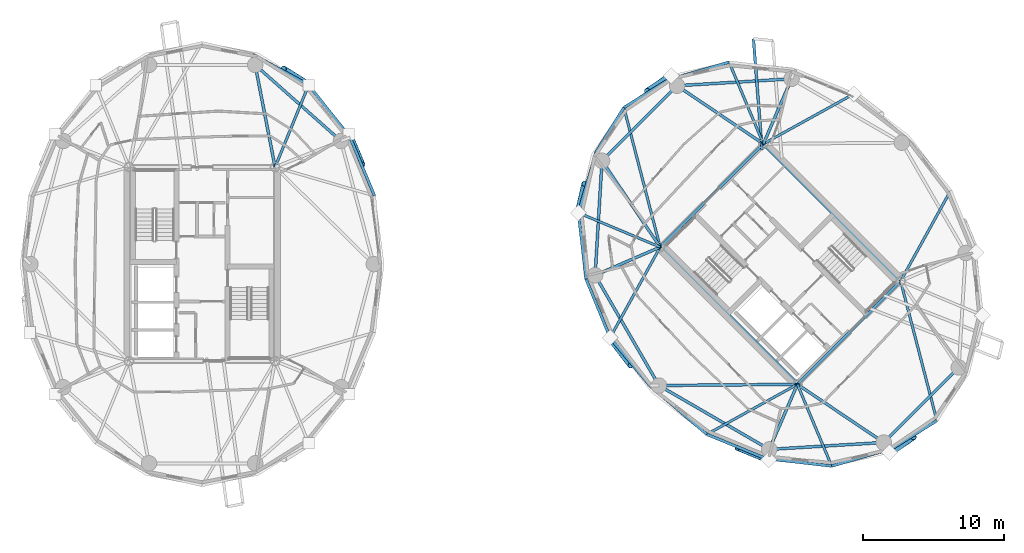
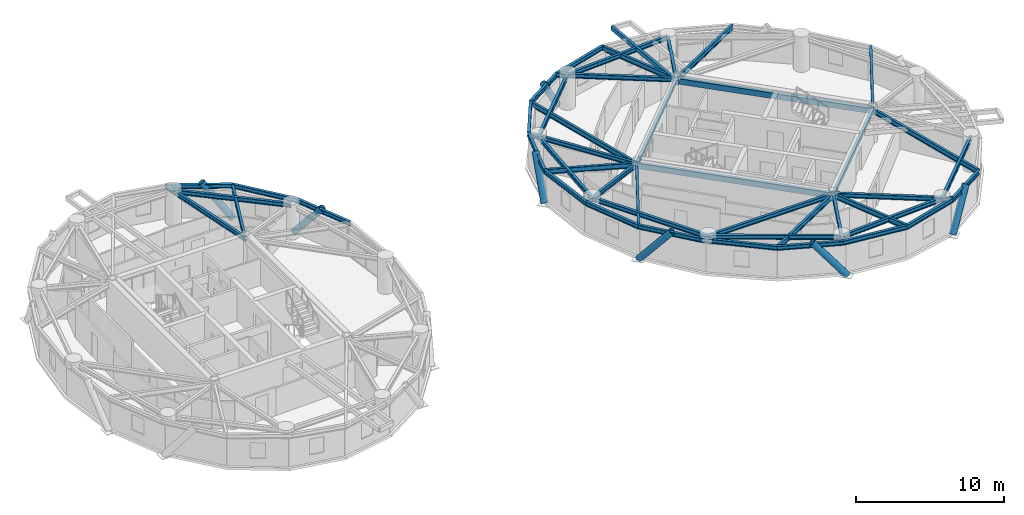
# One storey, part 4 of 16: 46 beams, 7 members.
"""IFC4 building model written with IfcOpenShell, lengths in metres."""

from ifc_helpers import new_model, si_unit, direction, frame, origin, origin_2d, place, context, subcontext, project, spatial, hollow_rectangle, hollow_circle, i_section, extrude, material, material_profile, profile_set, type_object, element, save


model = new_model("IFC4")

# Units and contexts
model_context = context("Model", 3, precision=1e-05, world=origin(), true_north=direction((0.0, 1.0)))
body_context = subcontext(model_context, "Body", "Model", "MODEL_VIEW")
ifc_project = project(units=[si_unit("LENGTHUNIT", "METRE"), si_unit("AREAUNIT", "SQUARE_METRE"), si_unit("VOLUMEUNIT", "CUBIC_METRE"), si_unit("PLANEANGLEUNIT", "RADIAN"), si_unit("MASSUNIT", "GRAM", prefix="KILO")], contexts=[model_context])

# Site, building, storey
site_placement = place(None, origin())
site = spatial("IfcSite", under=ifc_project, at=site_placement, CompositionType="ELEMENT")
building_placement = place(site_placement, origin())
building = spatial("IfcBuilding", under=site, at=building_placement, Name="Cununo Teusaquillo Station Towers", CompositionType="ELEMENT")
storey_placement = place(building_placement, frame((0.0, 0.0, 219.93994140625)))
storey = spatial("IfcBuildingStorey", under=building, at=storey_placement, Name="L70", CompositionType="ELEMENT", Elevation=219.93994140625)

# Beams
ifc_material_1 = material(Name="Steel EN 10025-2 S355J2", Category="steel")
ifc_material_profile_1 = material_profile(ifc_material_1, hollow_rectangle(XDim=0.199951171875, YDim=0.35009765625, WallThickness=0.013916015625, at=origin_2d()), Name="RHS 350x200x14")
ifc_profile_set_1 = profile_set([ifc_material_profile_1], Name="Steel EN 10025-2 S355J2")
beam_type_1 = type_object("IfcBeamType", Name="BM-BAL-CANT", PredefinedType="BEAM", material=ifc_profile_set_1)
beam_1_placement = place(storey_placement, frame((56.1982421875, 32.602783203125, 2.525146484375), z_axis=(-0.076982450804, 0.997032447952, 0.0), x_axis=(-0.997032447952, -0.076982450804, 0.0)))
element("IfcBeam", 1, at=beam_1_placement, inside=storey, type_object=beam_type_1, Name="L70 Tower B Balcony Cantilever Bracket 1B", PredefinedType="BEAM", context=body_context, shape_type="SweptSolid", body=[
    extrude(hollow_rectangle(XDim=0.199951171875, YDim=0.35009765625, WallThickness=0.013916015625, at=origin_2d()), origin(), (0.0, 0.0, 1.0), 7.89990234375),
])
ifc_material_2 = material(Name="Steel EN 10025-2 S355J2", Category="steel")
ifc_material_profile_2 = material_profile(ifc_material_2, hollow_rectangle(XDim=0.25, YDim=0.449951171875, WallThickness=0.01611328125, at=origin_2d()), Name="RHS 450x250x16")
ifc_profile_set_2 = profile_set([ifc_material_profile_2], Name="Steel EN 10025-2 S355J2")
beam_type_2 = type_object("IfcBeamType", Name="BM-COUP-1", PredefinedType="USERDEFINED", material=ifc_profile_set_2)
for number, where, z_axis, x_axis, name in (
    (2, (58.70556640625, 15.975830078125, 2.47509765625), (-0.707106781187, 0.707106781187, 0.0), (-0.707106781187, -0.707106781187, 0.0), "L70 Tower B Core Beam 1"),
    (3, (66.024169921875, 23.29443359375, 2.47509765625), (-0.707106781187, 0.707106781187, 0.0), (-0.707106781187, -0.707106781187, 0.0), "L70 Tower B Core Beam 2"),
):
    element("IfcBeam", number, at=place(storey_placement, frame(where, z_axis=z_axis, x_axis=x_axis)), inside=storey, type_object=beam_type_2, Name=name, ObjectType="COUPLING BEAM", PredefinedType="USERDEFINED", context=body_context, shape_type="SweptSolid", body=[
        extrude(hollow_rectangle(XDim=0.25, YDim=0.449951171875, WallThickness=0.01611328125, at=origin_2d()), origin(), (0.0, 0.0, 1.0), 13.760009765625),
    ])
ifc_material_3 = material(Name="Steel ASTM A572 Grade 50", Category="steel")
ifc_material_profile_3 = material_profile(ifc_material_3, i_section(OverallWidth=0.180908203125, OverallDepth=0.4169921875, WebThickness=0.010986328125, FlangeThickness=0.018310546875, FilletRadius=0.012939453125, at=origin_2d()), Name="W16X57")
ifc_profile_set_3 = profile_set([ifc_material_profile_3], Name="Steel ASTM A572 Grade 50")
beam_type_3 = type_object("IfcBeamType", Name="BM-JOIST-1", PredefinedType="JOIST", material=ifc_profile_set_3)
beam_2_placement = place(storey_placement, frame((21.675048828125, 31.3798828125, 2.491455078125), z_axis=(0.378576847217, 0.925569862707, 0.0), x_axis=(-0.925569862707, 0.378576847217, 0.0)))
element("IfcBeam", 4, at=beam_2_placement, inside=storey, type_object=beam_type_3, Name="L70 Tower A Radial Spandrel Joist V03", PredefinedType="JOIST", context=body_context, shape_type="SweptSolid", body=[
    extrude(i_section(OverallWidth=0.180908203125, OverallDepth=0.4169921875, WebThickness=0.010986328125, FlangeThickness=0.018310546875, FilletRadius=0.012939453125, at=origin_2d()), origin(), (0.0, 0.0, 1.0), 6.28125),
])
beam_3_placement = place(storey_placement, frame((56.29443359375, 33.024169921875, 2.491455078125), z_axis=(0.8753153358, 0.483552544108, 0.0), x_axis=(-0.483552544108, 0.8753153358, 0.0)))
element("IfcBeam", 5, at=beam_3_placement, inside=storey, type_object=beam_type_3, Name="L70 Tower B Radial Spandrel Joist V01", PredefinedType="JOIST", context=body_context, shape_type="SweptSolid", body=[
    extrude(i_section(OverallWidth=0.180908203125, OverallDepth=0.4169921875, WebThickness=0.010986328125, FlangeThickness=0.018310546875, FilletRadius=0.012939453125, at=origin_2d()), origin(), (0.0, 0.0, 1.0), 7.3330078125),
])
beam_4_placement = place(storey_placement, frame((56.29443359375, 33.024169921875, 2.491455078125), z_axis=(-0.386786389381, 0.922169338565, 0.0), x_axis=(-0.922169338565, -0.386786389381, 0.0)))
element("IfcBeam", 6, at=beam_4_placement, inside=storey, type_object=beam_type_3, Name="L70 Tower B Radial Spandrel Joist V03", PredefinedType="JOIST", context=body_context, shape_type="SweptSolid", body=[
    extrude(i_section(OverallWidth=0.180908203125, OverallDepth=0.4169921875, WebThickness=0.010986328125, FlangeThickness=0.018310546875, FilletRadius=0.012939453125, at=origin_2d()), origin(), (0.0, 0.0, 1.0), 6.281005859375),
])
beam_5_placement = place(storey_placement, frame((48.975830078125, 25.70556640625, 2.491455078125), z_axis=(-0.251559992432, 0.967841707206, 0.0), x_axis=(-0.967841707206, -0.251559992432, 0.0)))
element("IfcBeam", 7, at=beam_5_placement, inside=storey, type_object=beam_type_3, Name="L70 Tower B Radial Spandrel Joist V05", PredefinedType="JOIST", context=body_context, shape_type="SweptSolid", body=[
    extrude(i_section(OverallWidth=0.180908203125, OverallDepth=0.4169921875, WebThickness=0.010986328125, FlangeThickness=0.018310546875, FilletRadius=0.012939453125, at=origin_2d()), origin(), (0.0, 0.0, 1.0), 10.217529296875),
])
beam_6_placement = place(storey_placement, frame((48.975830078125, 25.70556640625, 2.491455078125), z_axis=(-0.922169338565, 0.386786389381, 0.0), x_axis=(-0.386786389381, -0.922169338565, 0.0)))
element("IfcBeam", 8, at=beam_6_placement, inside=storey, type_object=beam_type_3, Name="L70 Tower B Radial Spandrel Joist V07", PredefinedType="JOIST", context=body_context, shape_type="SweptSolid", body=[
    extrude(i_section(OverallWidth=0.180908203125, OverallDepth=0.4169921875, WebThickness=0.010986328125, FlangeThickness=0.018310546875, FilletRadius=0.012939453125, at=origin_2d()), origin(), (0.0, 0.0, 1.0), 6.281005859375),
])
for number, where, z_axis, x_axis, name in (
    (9, (48.975830078125, 25.70556640625, 2.491455078125), (-0.483552544108, -0.8753153358, 0.0), (0.8753153358, -0.483552544108, 0.0), "L70 Tower B Radial Spandrel Joist V09"),
    (10, (58.70556640625, 15.975830078125, 2.491455078125), (-0.8753153358, -0.483552544108, 0.0), (0.483552544108, -0.8753153358, 0.0), "L70 Tower B Radial Spandrel Joist V11"),
):
    element("IfcBeam", number, at=place(storey_placement, frame(where, z_axis=z_axis, x_axis=x_axis)), inside=storey, type_object=beam_type_3, Name=name, PredefinedType="JOIST", context=body_context, shape_type="SweptSolid", body=[
        extrude(i_section(OverallWidth=0.180908203125, OverallDepth=0.4169921875, WebThickness=0.010986328125, FlangeThickness=0.018310546875, FilletRadius=0.012939453125, at=origin_2d()), origin(), (0.0, 0.0, 1.0), 7.3330078125),
    ])
beam_7_placement = place(storey_placement, frame((58.70556640625, 15.975830078125, 2.491455078125), z_axis=(0.386786389381, -0.922169338565, 0.0), x_axis=(0.922169338565, 0.386786389381, 0.0)))
element("IfcBeam", 11, at=beam_7_placement, inside=storey, type_object=beam_type_3, Name="L70 Tower B Radial Spandrel Joist V13", PredefinedType="JOIST", context=body_context, shape_type="SweptSolid", body=[
    extrude(i_section(OverallWidth=0.180908203125, OverallDepth=0.4169921875, WebThickness=0.010986328125, FlangeThickness=0.018310546875, FilletRadius=0.012939453125, at=origin_2d()), origin(), (0.0, 0.0, 1.0), 6.281005859375),
])
beam_8_placement = place(storey_placement, frame((66.024169921875, 23.29443359375, 2.491455078125), z_axis=(0.251559992432, -0.967841707206, 0.0), x_axis=(0.967841707206, 0.251559992432, 0.0)))
element("IfcBeam", 12, at=beam_8_placement, inside=storey, type_object=beam_type_3, Name="L70 Tower B Radial Spandrel Joist V15", PredefinedType="JOIST", context=body_context, shape_type="SweptSolid", body=[
    extrude(i_section(OverallWidth=0.180908203125, OverallDepth=0.4169921875, WebThickness=0.010986328125, FlangeThickness=0.018310546875, FilletRadius=0.012939453125, at=origin_2d()), origin(), (0.0, 0.0, 1.0), 10.217529296875),
])
beam_9_placement = place(storey_placement, frame((66.024169921875, 23.29443359375, 2.491455078125), z_axis=(0.483552544108, 0.8753153358, 0.0), x_axis=(-0.8753153358, 0.483552544108, 0.0)))
element("IfcBeam", 13, at=beam_9_placement, inside=storey, type_object=beam_type_3, Name="L70 Tower B Radial Spandrel Joist V19", PredefinedType="JOIST", context=body_context, shape_type="SweptSolid", body=[
    extrude(i_section(OverallWidth=0.180908203125, OverallDepth=0.4169921875, WebThickness=0.010986328125, FlangeThickness=0.018310546875, FilletRadius=0.012939453125, at=origin_2d()), origin(), (0.0, 0.0, 1.0), 7.3330078125),
])
ifc_material_4 = material(Name="Steel ASTM A572 Grade 50", Category="steel")
ifc_material_profile_4 = material_profile(ifc_material_4, i_section(OverallWidth=0.2041015625, OverallDepth=0.35009765625, WebThickness=0.008544921875, FlangeThickness=0.01513671875, FilletRadius=0.011962890625, at=origin_2d()), Name="W14X48")
ifc_profile_set_4 = profile_set([ifc_material_profile_4], Name="Steel ASTM A572 Grade 50")
beam_type_4 = type_object("IfcBeamType", Name="BM-LINTEL-1", PredefinedType="LINTEL", material=ifc_profile_set_4)
for number, where, z_axis, x_axis, name in (
    (14, (58.70556640625, 15.975830078125, 2.525146484375), (0.707106781187, 0.707106781187, 0.0), (-0.707106781187, 0.707106781187, 0.0), "L70 Tower B Core Beam 3"),
    (15, (48.975830078125, 25.70556640625, 2.525146484375), (0.707106781187, 0.707106781187, 0.0), (-0.707106781187, 0.707106781187, 0.0), "L70 Tower B Core Beam 4"),
):
    element("IfcBeam", number, at=place(storey_placement, frame(where, z_axis=z_axis, x_axis=x_axis)), inside=storey, type_object=beam_type_4, Name=name, PredefinedType="LINTEL", context=body_context, shape_type="SweptSolid", body=[
        extrude(i_section(OverallWidth=0.2041015625, OverallDepth=0.35009765625, WebThickness=0.008544921875, FlangeThickness=0.01513671875, FilletRadius=0.011962890625, at=origin_2d()), origin(), (0.0, 0.0, 1.0), 10.35009765625),
    ])
ifc_material_5 = material(Name="Steel ASTM A572 Grade 50", Category="steel")
ifc_material_profile_5 = material_profile(ifc_material_5, i_section(OverallWidth=0.2041015625, OverallDepth=0.35009765625, WebThickness=0.008544921875, FlangeThickness=0.01513671875, FilletRadius=0.011962890625, at=origin_2d()), Name="W14X48")
ifc_profile_set_5 = profile_set([ifc_material_profile_5], Name="Steel ASTM A572 Grade 50")
beam_type_5 = type_object("IfcBeamType", Name="BM-RAD-G3", PredefinedType="BEAM", material=ifc_profile_set_5)
beam_10_placement = place(storey_placement, frame((21.675048828125, 31.3798828125, 2.525146484375), z_axis=(-0.191548487699, 0.981483151593, 0.0), x_axis=(-0.981483151593, -0.191548487699, 0.0)))
element("IfcBeam", 16, at=beam_10_placement, inside=storey, type_object=beam_type_5, Name="L70 Tower A Continuous Overhanging Radial Girder 03", PredefinedType="BEAM", context=body_context, shape_type="SweptSolid", body=[
    extrude(i_section(OverallWidth=0.2041015625, OverallDepth=0.35009765625, WebThickness=0.008544921875, FlangeThickness=0.01513671875, FilletRadius=0.011962890625, at=origin_2d()), origin(), (0.0, 0.0, 1.0), 8.1240234375),
])
beam_11_placement = place(storey_placement, frame((56.29443359375, 33.024169921875, 2.525146484375), z_axis=(0.397346986387, 0.917668443616, 0.0), x_axis=(-0.917668443616, 0.397346986387, 0.0)))
element("IfcBeam", 17, at=beam_11_placement, inside=storey, type_object=beam_type_5, Name="L70 Tower B Radial Girder 02A", PredefinedType="BEAM", context=body_context, shape_type="SweptSolid", body=[
    extrude(i_section(OverallWidth=0.2041015625, OverallDepth=0.35009765625, WebThickness=0.008544921875, FlangeThickness=0.01513671875, FilletRadius=0.011962890625, at=origin_2d()), origin(), (0.0, 0.0, 1.0), 5.02490234375),
])
for number, where, z_axis, x_axis, name in (
    (18, (56.29443359375, 33.024169921875, 2.525146484375), (-0.829456817529, 0.558570844079, 0.0), (-0.558570844079, -0.829456817529, 0.0), "L70 Tower B Continuous Overhanging Radial Girder 03"),
    (19, (48.975830078125, 25.70556640625, 2.525146484375), (-0.558570844079, 0.829456817529, 0.0), (-0.829456817529, -0.558570844079, 0.0), "L70 Tower B Continuous Overhanging Radial Girder 04"),
):
    element("IfcBeam", number, at=place(storey_placement, frame(where, z_axis=z_axis, x_axis=x_axis)), inside=storey, type_object=beam_type_5, Name=name, PredefinedType="BEAM", context=body_context, shape_type="SweptSolid", body=[
        extrude(i_section(OverallWidth=0.2041015625, OverallDepth=0.35009765625, WebThickness=0.008544921875, FlangeThickness=0.01513671875, FilletRadius=0.011962890625, at=origin_2d()), origin(), (0.0, 0.0, 1.0), 8.1240234375),
    ])
beam_12_placement = place(storey_placement, frame((48.975830078125, 25.70556640625, 2.525146484375), z_axis=(-0.917665176837, -0.397354530893, 0.0), x_axis=(0.397354530893, -0.917665176837, 0.0)))
element("IfcBeam", 20, at=beam_12_placement, inside=storey, type_object=beam_type_5, Name="L70 Tower B Continuous Overhanging Radial Girder 05", PredefinedType="BEAM", context=body_context, shape_type="SweptSolid", body=[
    extrude(i_section(OverallWidth=0.2041015625, OverallDepth=0.35009765625, WebThickness=0.008544921875, FlangeThickness=0.01513671875, FilletRadius=0.011962890625, at=origin_2d()), origin(), (0.0, 0.0, 1.0), 5.716552734375),
])
beam_13_placement = place(storey_placement, frame((58.70556640625, 15.975830078125, 2.525146484375), z_axis=(-0.999964431382, -0.008434214327, 0.0), x_axis=(0.008434214327, -0.999964431382, 0.0)))
element("IfcBeam", 21, at=beam_13_placement, inside=storey, type_object=beam_type_5, Name="L70 Tower B Radial Girder 06A", PredefinedType="BEAM", context=body_context, shape_type="SweptSolid", body=[
    extrude(i_section(OverallWidth=0.2041015625, OverallDepth=0.35009765625, WebThickness=0.008544921875, FlangeThickness=0.01513671875, FilletRadius=0.011962890625, at=origin_2d()), origin(), (0.0, 0.0, 1.0), 9.812744140625),
])
beam_14_placement = place(storey_placement, frame((58.70556640625, 15.975830078125, 2.525146484375), z_axis=(-0.397354530893, -0.917665176837, 0.0), x_axis=(0.917665176837, -0.397354530893, 0.0)))
element("IfcBeam", 22, at=beam_14_placement, inside=storey, type_object=beam_type_5, Name="L70 Tower B Continuous Overhanging Radial Girder 07", PredefinedType="BEAM", context=body_context, shape_type="SweptSolid", body=[
    extrude(i_section(OverallWidth=0.2041015625, OverallDepth=0.35009765625, WebThickness=0.008544921875, FlangeThickness=0.01513671875, FilletRadius=0.011962890625, at=origin_2d()), origin(), (0.0, 0.0, 1.0), 5.716552734375),
])
beam_15_placement = place(storey_placement, frame((58.70556640625, 15.975830078125, 2.525146484375), z_axis=(0.829456817529, -0.558570844079, 0.0), x_axis=(0.558570844079, 0.829456817529, 0.0)))
element("IfcBeam", 23, at=beam_15_placement, inside=storey, type_object=beam_type_5, Name="L70 Tower B Continuous Overhanging Radial Girder 08", PredefinedType="BEAM", context=body_context, shape_type="SweptSolid", body=[
    extrude(i_section(OverallWidth=0.2041015625, OverallDepth=0.35009765625, WebThickness=0.008544921875, FlangeThickness=0.01513671875, FilletRadius=0.011962890625, at=origin_2d()), origin(), (0.0, 0.0, 1.0), 8.1240234375),
])
ifc_material_6 = material(Name="Steel ASTM A572 Grade 50", Category="steel")
ifc_material_profile_6 = material_profile(ifc_material_6, i_section(OverallWidth=0.2041015625, OverallDepth=0.35009765625, WebThickness=0.008544921875, FlangeThickness=0.01513671875, FilletRadius=0.011962890625, at=origin_2d()), Name="W14X48")
ifc_profile_set_6 = profile_set([ifc_material_profile_6], Name="Steel ASTM A572 Grade 50")
beam_type_6 = type_object("IfcBeamType", Name="BM-RING-Z4", PredefinedType="SPANDREL", material=ifc_profile_set_6)
beam_16_placement = place(storey_placement, frame((26.347412109375, 33.228515625, 2.525146484375), z_axis=(-0.74832120039, 0.66333655187, 0.0), x_axis=(-0.66333655187, -0.74832120039, 0.0)))
element("IfcBeam", 24, at=beam_16_placement, inside=storey, type_object=beam_type_6, Name="L70 Tower A Structural Column Ring Girder 02", PredefinedType="SPANDREL", context=body_context, shape_type="SweptSolid", body=[
    extrude(i_section(OverallWidth=0.2041015625, OverallDepth=0.35009765625, WebThickness=0.008544921875, FlangeThickness=0.01513671875, FilletRadius=0.011962890625, at=origin_2d()), origin(), (0.0, 0.0, 1.0), 8.1328125),
])
beam_17_placement = place(storey_placement, frame((28.72119140625, 29.348388671875, 2.525146484375), z_axis=(-0.386115454066, 0.922450462698, 0.0), x_axis=(-0.922450462698, -0.386115454066, 0.0)))
element("IfcBeam", 25, at=beam_17_placement, inside=storey, type_object=beam_type_6, Name="L70 Tower A Spandrel Ring Beam 02", PredefinedType="SPANDREL", context=body_context, shape_type="SweptSolid", body=[
    extrude(i_section(OverallWidth=0.2041015625, OverallDepth=0.35009765625, WebThickness=0.008544921875, FlangeThickness=0.01513671875, FilletRadius=0.011962890625, at=origin_2d()), origin(), (0.0, 0.0, 1.0), 4.482421875),
])
beam_18_placement = place(storey_placement, frame((26.990478515625, 33.483154296875, 2.525146484375), z_axis=(-0.620710872531, 0.784039547932, 0.0), x_axis=(-0.784039547932, -0.620710872531, 0.0)))
element("IfcBeam", 26, at=beam_18_placement, inside=storey, type_object=beam_type_6, Name="L70 Tower A Spandrel Ring Beam 03", PredefinedType="SPANDREL", context=body_context, shape_type="SweptSolid", body=[
    extrude(i_section(OverallWidth=0.2041015625, OverallDepth=0.35009765625, WebThickness=0.008544921875, FlangeThickness=0.01513671875, FilletRadius=0.011962890625, at=origin_2d()), origin(), (0.0, 0.0, 1.0), 4.732421875),
])
beam_19_placement = place(storey_placement, frame((24.052978515625, 37.193603515625, 2.525146484375), z_axis=(-0.876576300909, 0.481262910149, 0.0), x_axis=(-0.481262910149, -0.876576300909, 0.0)))
element("IfcBeam", 27, at=beam_19_placement, inside=storey, type_object=beam_type_6, Name="L70 Tower A Spandrel Ring Beam 04", PredefinedType="SPANDREL", context=body_context, shape_type="SweptSolid", body=[
    extrude(i_section(OverallWidth=0.2041015625, OverallDepth=0.35009765625, WebThickness=0.008544921875, FlangeThickness=0.01513671875, FilletRadius=0.011962890625, at=origin_2d()), origin(), (0.0, 0.0, 1.0), 4.488037109375),
])
beam_20_placement = place(storey_placement, frame((58.291015625, 37.63525390625, 2.525146484375), z_axis=(-0.998190567048, -0.06012979176, 0.0), x_axis=(0.06012979176, -0.998190567048, 0.0)))
element("IfcBeam", 28, at=beam_20_placement, inside=storey, type_object=beam_type_6, Name="L70 Tower B Structural Column Ring Girder 02", PredefinedType="SPANDREL", context=body_context, shape_type="SweptSolid", body=[
    extrude(i_section(OverallWidth=0.2041015625, OverallDepth=0.35009765625, WebThickness=0.008544921875, FlangeThickness=0.01513671875, FilletRadius=0.011962890625, at=origin_2d()), origin(), (0.0, 0.0, 1.0), 8.132568359375),
])
beam_21_placement = place(storey_placement, frame((50.173095703125, 37.146240234375, 2.525146484375), z_axis=(-0.707106781187, -0.707106781187, 0.0), x_axis=(0.707106781187, -0.707106781187, 0.0)))
element("IfcBeam", 29, at=beam_21_placement, inside=storey, type_object=beam_type_6, Name="L70 Tower B Structural Column Ring Girder 03", PredefinedType="SPANDREL", context=body_context, shape_type="SweptSolid", body=[
    extrude(i_section(OverallWidth=0.2041015625, OverallDepth=0.35009765625, WebThickness=0.008544921875, FlangeThickness=0.01513671875, FilletRadius=0.011962890625, at=origin_2d()), origin(), (0.0, 0.0, 1.0), 7.522705078125),
])
beam_22_placement = place(storey_placement, frame((44.853759765625, 31.826904296875, 2.525146484375), z_axis=(-0.06012979176, -0.998190567048, 0.0), x_axis=(0.998190567048, -0.06012979176, 0.0)))
element("IfcBeam", 30, at=beam_22_placement, inside=storey, type_object=beam_type_6, Name="L70 Tower B Structural Column Ring Girder 04", PredefinedType="SPANDREL", context=body_context, shape_type="SweptSolid", body=[
    extrude(i_section(OverallWidth=0.2041015625, OverallDepth=0.35009765625, WebThickness=0.008544921875, FlangeThickness=0.01513671875, FilletRadius=0.011962890625, at=origin_2d()), origin(), (0.0, 0.0, 1.0), 8.132568359375),
])
for number, where, z_axis, x_axis, name in (
    (31, (44.36474609375, 23.708984375, 2.525146484375), (0.501311121078, -0.865267103202, 0.0), (0.865267103202, 0.501311121078, 0.0), "L70 Tower B Structural Column Ring Girder 05"),
    (32, (48.89306640625, 15.89306640625, 2.525146484375), (0.865267103202, -0.501311121078, 0.0), (0.501311121078, 0.865267103202, 0.0), "L70 Tower B Structural Column Ring Girder 06"),
):
    element("IfcBeam", number, at=place(storey_placement, frame(where, z_axis=z_axis, x_axis=x_axis)), inside=storey, type_object=beam_type_6, Name=name, PredefinedType="SPANDREL", context=body_context, shape_type="SweptSolid", body=[
        extrude(i_section(OverallWidth=0.2041015625, OverallDepth=0.35009765625, WebThickness=0.008544921875, FlangeThickness=0.01513671875, FilletRadius=0.011962890625, at=origin_2d()), origin(), (0.0, 0.0, 1.0), 9.032958984375),
    ])
beam_23_placement = place(storey_placement, frame((56.708984375, 11.36474609375, 2.525146484375), z_axis=(0.998190567048, 0.06012979176, 0.0), x_axis=(-0.06012979176, 0.998190567048, 0.0)))
element("IfcBeam", 33, at=beam_23_placement, inside=storey, type_object=beam_type_6, Name="L70 Tower B Structural Column Ring Girder 07", PredefinedType="SPANDREL", context=body_context, shape_type="SweptSolid", body=[
    extrude(i_section(OverallWidth=0.2041015625, OverallDepth=0.35009765625, WebThickness=0.008544921875, FlangeThickness=0.01513671875, FilletRadius=0.011962890625, at=origin_2d()), origin(), (0.0, 0.0, 1.0), 8.132568359375),
])
beam_24_placement = place(storey_placement, frame((64.826904296875, 11.853759765625, 2.525146484375), z_axis=(0.707106781187, 0.707106781187, 0.0), x_axis=(-0.707106781187, 0.707106781187, 0.0)))
element("IfcBeam", 34, at=beam_24_placement, inside=storey, type_object=beam_type_6, Name="L70 Tower B Structural Column Ring Girder 08", PredefinedType="SPANDREL", context=body_context, shape_type="SweptSolid", body=[
    extrude(i_section(OverallWidth=0.2041015625, OverallDepth=0.35009765625, WebThickness=0.008544921875, FlangeThickness=0.01513671875, FilletRadius=0.011962890625, at=origin_2d()), origin(), (0.0, 0.0, 1.0), 7.522705078125),
])
beam_25_placement = place(storey_placement, frame((53.864990234375, 38.81640625, 2.525146484375), z_axis=(-0.96014487762, -0.279502797802, 0.0), x_axis=(0.279502797802, -0.96014487762, 0.0)))
element("IfcBeam", 35, at=beam_25_placement, inside=storey, type_object=beam_type_6, Name="L70 Tower B Spandrel Ring Beam 04", PredefinedType="SPANDREL", context=body_context, shape_type="SweptSolid", body=[
    extrude(i_section(OverallWidth=0.2041015625, OverallDepth=0.35009765625, WebThickness=0.008544921875, FlangeThickness=0.01513671875, FilletRadius=0.011962890625, at=origin_2d()), origin(), (0.0, 0.0, 1.0), 4.488037109375),
])
for number, where, z_axis, x_axis, name in (
    (36, (49.555908203125, 37.56201171875, 2.525146484375), (-0.848175505099, -0.529715312739, 0.0), (0.529715312739, -0.848175505099, 0.0), "L70 Tower B Spandrel Ring Beam 05"),
    (37, (46.405517578125, 35.594482421875, 2.525146484375), (-0.529715312739, -0.848175505099, 0.0), (0.848175505099, -0.529715312739, 0.0), "L70 Tower B Spandrel Ring Beam 06"),
):
    element("IfcBeam", number, at=place(storey_placement, frame(where, z_axis=z_axis, x_axis=x_axis)), inside=storey, type_object=beam_type_6, Name=name, PredefinedType="SPANDREL", context=body_context, shape_type="SweptSolid", body=[
        extrude(i_section(OverallWidth=0.2041015625, OverallDepth=0.35009765625, WebThickness=0.008544921875, FlangeThickness=0.01513671875, FilletRadius=0.011962890625, at=origin_2d()), origin(), (0.0, 0.0, 1.0), 3.71435546875),
    ])
beam_26_placement = place(storey_placement, frame((44.43798828125, 32.444091796875, 2.525146484375), z_axis=(-0.279502797802, -0.96014487762, 0.0), x_axis=(0.96014487762, -0.279502797802, 0.0)))
element("IfcBeam", 38, at=beam_26_placement, inside=storey, type_object=beam_type_6, Name="L70 Tower B Spandrel Ring Beam 07", PredefinedType="SPANDREL", context=body_context, shape_type="SweptSolid", body=[
    extrude(i_section(OverallWidth=0.2041015625, OverallDepth=0.35009765625, WebThickness=0.008544921875, FlangeThickness=0.01513671875, FilletRadius=0.011962890625, at=origin_2d()), origin(), (0.0, 0.0, 1.0), 4.488037109375),
])
beam_27_placement = place(storey_placement, frame((43.18359375, 28.135009765625, 2.525146484375), z_axis=(0.115452326356, -0.993313022334, 0.0), x_axis=(0.993313022334, 0.115452326356, 0.0)))
element("IfcBeam", 39, at=beam_27_placement, inside=storey, type_object=beam_type_6, Name="L70 Tower B Spandrel Ring Beam 08", PredefinedType="SPANDREL", context=body_context, shape_type="SweptSolid", body=[
    extrude(i_section(OverallWidth=0.2041015625, OverallDepth=0.35009765625, WebThickness=0.008544921875, FlangeThickness=0.01513671875, FilletRadius=0.011962890625, at=origin_2d()), origin(), (0.0, 0.0, 1.0), 4.732666015625),
])
beam_28_placement = place(storey_placement, frame((43.72998046875, 23.43408203125, 2.525146484375), z_axis=(0.379275405388, -0.925283830437, 0.0), x_axis=(0.925283830437, 0.379275405388, 0.0)))
element("IfcBeam", 40, at=beam_28_placement, inside=storey, type_object=beam_type_6, Name="L70 Tower B Spandrel Ring Beam 09", PredefinedType="SPANDREL", context=body_context, shape_type="SweptSolid", body=[
    extrude(i_section(OverallWidth=0.2041015625, OverallDepth=0.35009765625, WebThickness=0.008544921875, FlangeThickness=0.01513671875, FilletRadius=0.011962890625, at=origin_2d()), origin(), (0.0, 0.0, 1.0), 4.482177734375),
])
beam_29_placement = place(storey_placement, frame((45.429931640625, 19.286865234375, 2.525146484375), z_axis=(0.637524682095, -0.770429931739, 0.0), x_axis=(0.770429931739, 0.637524682095, 0.0)))
element("IfcBeam", 41, at=beam_29_placement, inside=storey, type_object=beam_type_6, Name="L70 Tower B Spandrel Ring Beam 10", PredefinedType="SPANDREL", context=body_context, shape_type="SweptSolid", body=[
    extrude(i_section(OverallWidth=0.2041015625, OverallDepth=0.35009765625, WebThickness=0.008544921875, FlangeThickness=0.01513671875, FilletRadius=0.011962890625, at=origin_2d()), origin(), (0.0, 0.0, 1.0), 4.412353515625),
])
beam_30_placement = place(storey_placement, frame((48.242919921875, 15.887451171875, 2.525146484375), z_axis=(0.760065778291, -0.649846145385, 0.0), x_axis=(0.649846145385, 0.760065778291, 0.0)))
element("IfcBeam", 42, at=beam_30_placement, inside=storey, type_object=beam_type_6, Name="L70 Tower B Spandrel Ring Beam 11", PredefinedType="SPANDREL", context=body_context, shape_type="SweptSolid", body=[
    extrude(i_section(OverallWidth=0.2041015625, OverallDepth=0.35009765625, WebThickness=0.008544921875, FlangeThickness=0.01513671875, FilletRadius=0.011962890625, at=origin_2d()), origin(), (0.0, 0.0, 1.0), 5.320556640625),
])
beam_31_placement = place(storey_placement, frame((52.286865234375, 12.429931640625, 2.525146484375), z_axis=(0.925283830437, -0.379275405388, 0.0), x_axis=(0.379275405388, 0.925283830437, 0.0)))
element("IfcBeam", 43, at=beam_31_placement, inside=storey, type_object=beam_type_6, Name="L70 Tower B Spandrel Ring Beam 12", PredefinedType="SPANDREL", context=body_context, shape_type="SweptSolid", body=[
    extrude(i_section(OverallWidth=0.2041015625, OverallDepth=0.35009765625, WebThickness=0.008544921875, FlangeThickness=0.01513671875, FilletRadius=0.011962890625, at=origin_2d()), origin(), (0.0, 0.0, 1.0), 4.482177734375),
])
beam_32_placement = place(storey_placement, frame((56.43408203125, 10.72998046875, 2.525146484375), z_axis=(0.993313022334, -0.115452326356, 0.0), x_axis=(0.115452326356, 0.993313022334, 0.0)))
element("IfcBeam", 44, at=beam_32_placement, inside=storey, type_object=beam_type_6, Name="L70 Tower B Spandrel Ring Beam 13", PredefinedType="SPANDREL", context=body_context, shape_type="SweptSolid", body=[
    extrude(i_section(OverallWidth=0.2041015625, OverallDepth=0.35009765625, WebThickness=0.008544921875, FlangeThickness=0.01513671875, FilletRadius=0.011962890625, at=origin_2d()), origin(), (0.0, 0.0, 1.0), 4.732666015625),
])
beam_33_placement = place(storey_placement, frame((61.135009765625, 10.18359375, 2.525146484375), z_axis=(0.96014487762, 0.279502797802, 0.0), x_axis=(-0.279502797802, 0.96014487762, 0.0)))
element("IfcBeam", 45, at=beam_33_placement, inside=storey, type_object=beam_type_6, Name="L70 Tower B Spandrel Ring Beam 14", PredefinedType="SPANDREL", context=body_context, shape_type="SweptSolid", body=[
    extrude(i_section(OverallWidth=0.2041015625, OverallDepth=0.35009765625, WebThickness=0.008544921875, FlangeThickness=0.01513671875, FilletRadius=0.011962890625, at=origin_2d()), origin(), (0.0, 0.0, 1.0), 4.488037109375),
])
beam_34_placement = place(storey_placement, frame((65.444091796875, 11.43798828125, 2.525146484375), z_axis=(0.848175505099, 0.529715312739, 0.0), x_axis=(-0.529715312739, 0.848175505099, 0.0)))
element("IfcBeam", 46, at=beam_34_placement, inside=storey, type_object=beam_type_6, Name="L70 Tower B Spandrel Ring Beam 15", PredefinedType="SPANDREL", context=body_context, shape_type="SweptSolid", body=[
    extrude(i_section(OverallWidth=0.2041015625, OverallDepth=0.35009765625, WebThickness=0.008544921875, FlangeThickness=0.01513671875, FilletRadius=0.011962890625, at=origin_2d()), origin(), (0.0, 0.0, 1.0), 3.71435546875),
])

# Members
ifc_material_7 = material(Name="Steel EN 10025-2 S355J2", Category="steel")
ifc_material_profile_7 = material_profile(ifc_material_7, hollow_circle(Radius=0.25390625, WallThickness=0.01806640625, at=origin_2d()), Name="CHS 508x18")
ifc_profile_set_7 = profile_set([ifc_material_profile_7], Name="Steel EN 10025-2 S355J2")
member_type = type_object("IfcMemberType", Name="MBR-DIAG-Z4", PredefinedType="BRACE", material=ifc_profile_set_7)
member_1_placement = place(storey_placement, frame((26.89599609375, 33.722412109375, -0.139892578125), z_axis=(0.243178360097, -0.58276932845, 0.77539937774), x_axis=(0.922875628603, 0.385098135713, 0.0)))
element("IfcMember", 47, at=member_1_placement, inside=storey, type_object=member_type, Name="L70 Tower A Folded-Zigzag Diagrid Tube C01", PredefinedType="BRACE", context=body_context, shape_type="SweptSolid", body=[
    extrude(hollow_circle(Radius=0.25390625, WallThickness=0.01806640625, at=origin_2d()), origin(), (0.0, 0.0, 1.0), 3.752685546875),
])
member_2_placement = place(storey_placement, frame((24.052978515625, 37.193603515625, -0.139892578125), z_axis=(-0.498333742466, 0.310032061152, 0.809656471708), x_axis=(-0.528249968439, -0.849088906325, 0.0)))
element("IfcMember", 48, at=member_2_placement, inside=storey, type_object=member_type, Name="L70 Tower A Folded-Zigzag Diagrid Tube C03", PredefinedType="BRACE", context=body_context, shape_type="SweptSolid", body=[
    extrude(hollow_circle(Radius=0.25390625, WallThickness=0.01806640625, at=origin_2d()), origin(), (0.0, 0.0, 1.0), 3.593994140625),
])
member_3_placement = place(storey_placement, frame((49.75634765625, 37.859375, -0.139892578125), z_axis=(-0.472833395843, -0.319539747912, 0.821171680759), x_axis=(0.559926853965, -0.828542043718, 0.0)))
element("IfcMember", 49, at=member_3_placement, inside=storey, type_object=member_type, Name="L70 Tower B Folded-Zigzag Diagrid Tube C04", PredefinedType="BRACE", context=body_context, shape_type="SweptSolid", body=[
    extrude(hollow_circle(Radius=0.25390625, WallThickness=0.01806640625, at=origin_2d()), origin(), (0.0, 0.0, 1.0), 3.543701171875),
])
member_4_placement = place(storey_placement, frame((43.18359375, 28.135009765625, -0.139892578125), z_axis=(0.13314567374, 0.571575356555, 0.809675145564), x_axis=(-0.97392481585, 0.226871005356, 0.0)))
element("IfcMember", 50, at=member_4_placement, inside=storey, type_object=member_type, Name="L70 Tower B Folded-Zigzag Diagrid Tube C06", PredefinedType="BRACE", context=body_context, shape_type="SweptSolid", body=[
    extrude(hollow_circle(Radius=0.25390625, WallThickness=0.01806640625, at=origin_2d()), origin(), (0.0, 0.0, 1.0), 3.593994140625),
])
member_5_placement = place(storey_placement, frame((45.429931640625, 19.286865234375, -0.139892578125), z_axis=(0.39255480312, -0.50959536134, 0.765645671475), x_axis=(0.792204307351, 0.610255958934, 0.0)))
element("IfcMember", 51, at=member_5_placement, inside=storey, type_object=member_type, Name="L70 Tower B Folded-Zigzag Diagrid Tube C09", PredefinedType="BRACE", context=body_context, shape_type="SweptSolid", body=[
    extrude(hollow_circle(Radius=0.25390625, WallThickness=0.01806640625, at=origin_2d()), origin(), (0.0, 0.0, 1.0), 3.800537109375),
])
member_6_placement = place(storey_placement, frame((56.670166015625, 10.627685546875, -0.139892578125), z_axis=(-0.584015766292, 0.240125007618, 0.775413157896), x_axis=(-0.380273025704, -0.924874275738, 0.0)))
element("IfcMember", 52, at=member_6_placement, inside=storey, type_object=member_type, Name="L70 Tower B Folded-Zigzag Diagrid Tube C11", PredefinedType="BRACE", context=body_context, shape_type="SweptSolid", body=[
    extrude(hollow_circle(Radius=0.25390625, WallThickness=0.01806640625, at=origin_2d()), origin(), (0.0, 0.0, 1.0), 3.752685546875),
])
member_7_placement = place(storey_placement, frame((65.24365234375, 11.140625, -0.139892578125), z_axis=(0.472833395843, 0.319539747912, 0.821171680759), x_axis=(-0.559926853965, 0.828542043718, 0.0)))
element("IfcMember", 53, at=member_7_placement, inside=storey, type_object=member_type, Name="L70 Tower B Folded-Zigzag Diagrid Tube C14", PredefinedType="BRACE", context=body_context, shape_type="SweptSolid", body=[
    extrude(hollow_circle(Radius=0.25390625, WallThickness=0.01806640625, at=origin_2d()), origin(), (0.0, 0.0, 1.0), 3.543701171875),
])

save(model, "model.ifc")
